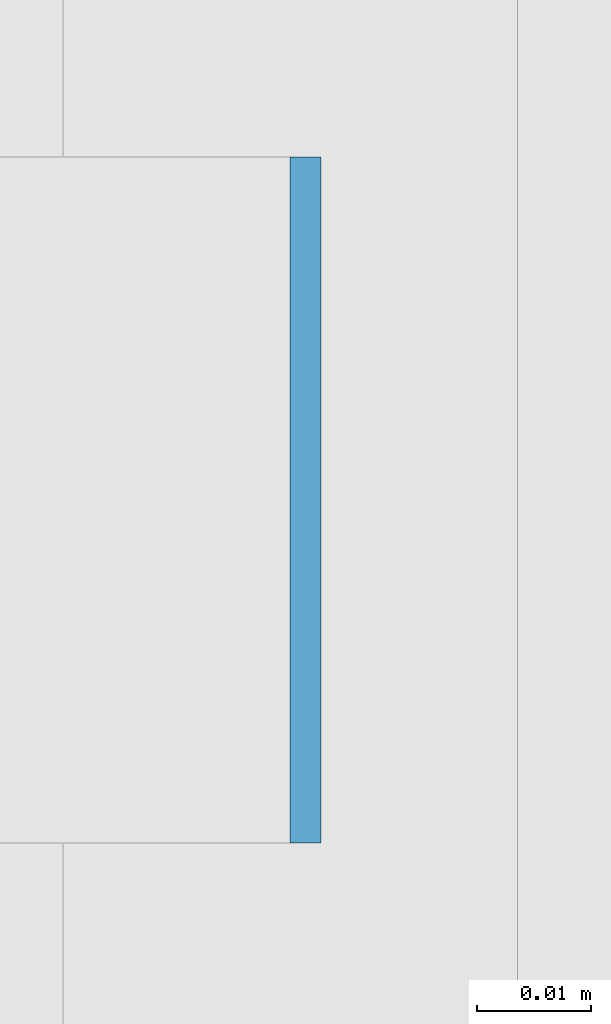
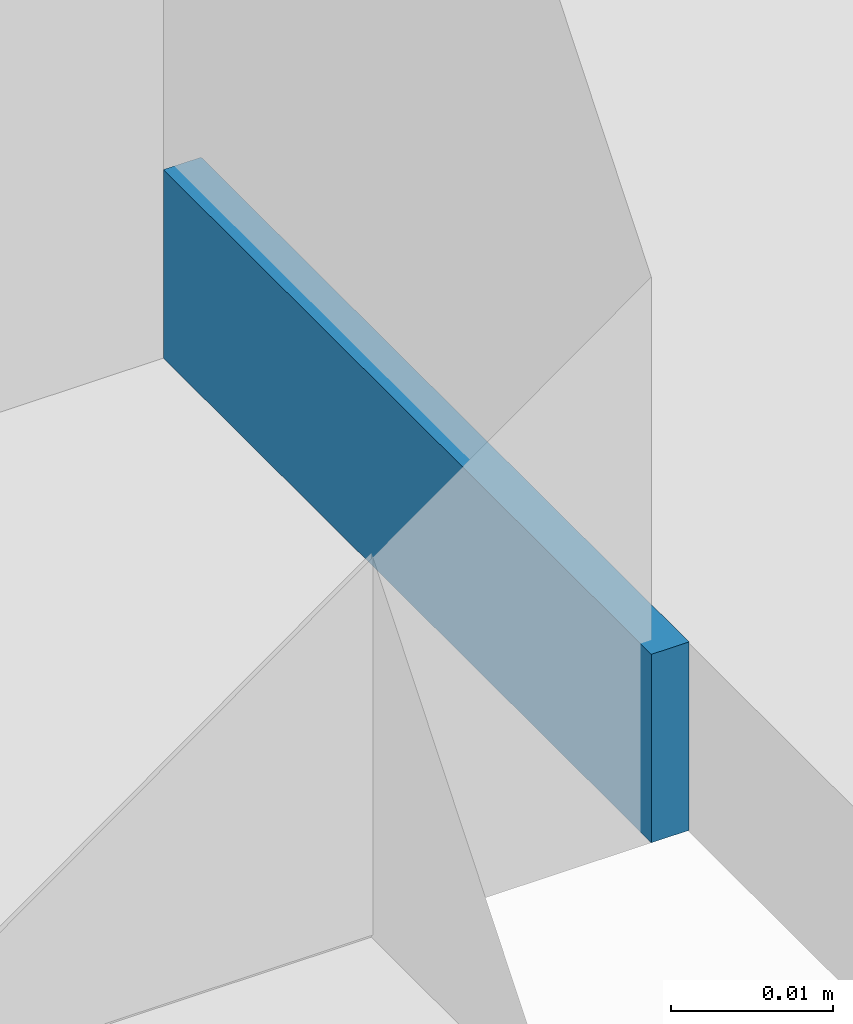
# One storey, part 250 of 646: 1 discrete accessory.
"""IFC4 building model written with IfcOpenShell, lengths in metres."""

from ifc_helpers import new_model, si_unit, direction, frame, origin, origin_2d, place, context, subcontext, project, spatial, rectangle, extrude, material, type_object, element, save


model = new_model("IFC4")

# Units and contexts
model_context = context("Model", 3, precision=1e-05, world=origin(), true_north=direction((0.0, 1.0)))
body_context = subcontext(model_context, "Body", "Model", "MODEL_VIEW")
ifc_project = project(units=[si_unit("LENGTHUNIT", "METRE"), si_unit("AREAUNIT", "SQUARE_METRE"), si_unit("VOLUMEUNIT", "CUBIC_METRE"), si_unit("PLANEANGLEUNIT", "RADIAN"), si_unit("MASSUNIT", "GRAM", prefix="KILO")], contexts=[model_context])

# Site, building, storey
site_placement = place(None, origin())
site = spatial("IfcSite", under=ifc_project, at=site_placement, CompositionType="ELEMENT")
building_placement = place(site_placement, origin())
building = spatial("IfcBuilding", under=site, at=building_placement, Name="Silverbay Arena", CompositionType="ELEMENT")
storey_placement = place(building_placement, frame((0.0, 0.0, 33.5)))
storey = spatial("IfcBuildingStorey", under=building, at=storey_placement, Name="L05", CompositionType="ELEMENT", Elevation=33.5)

# Discrete accessory
ifc_material = material(Name="Steel S355", Category="steel")
discrete_accessory_type = type_object("IfcDiscreteAccessoryType", Name="Steel bracket plate", PredefinedType="BRACKET", material=ifc_material)
discrete_accessory_placement = place(storey_placement, frame((53.871337890625, 34.566650390625, 4.0), z_axis=(0.0, 0.0, 1.0), x_axis=(1.0, 0.0, 0.0)))
element("IfcDiscreteAccessory", 1, at=discrete_accessory_placement, inside=storey, type_object=discrete_accessory_type, Name="Curtain wall packing plate", PredefinedType="BRACKET", context=body_context, shape_type="SweptSolid", body=[
    extrude(rectangle(XDim=0.002685546875, YDim=0.06005859375, at=origin_2d()), origin(), (0.0, 0.0, 1.0), 0.01416015625),
])

save(model, "model.ifc")
